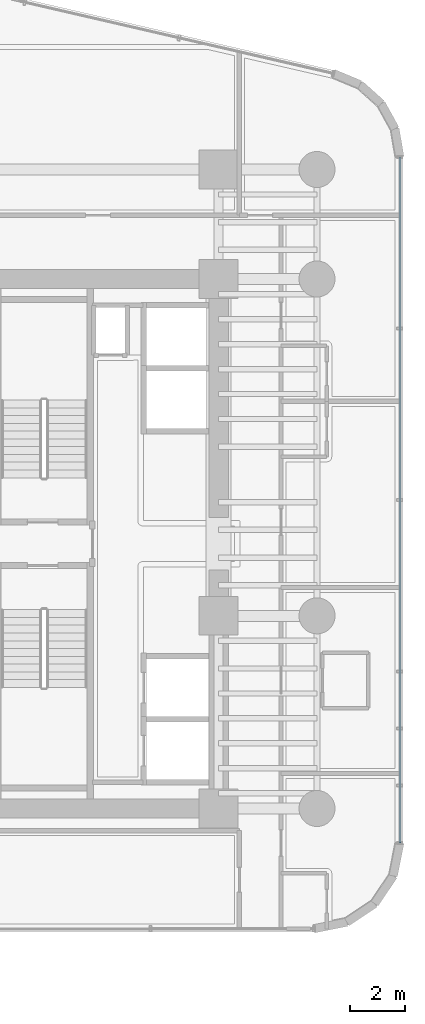
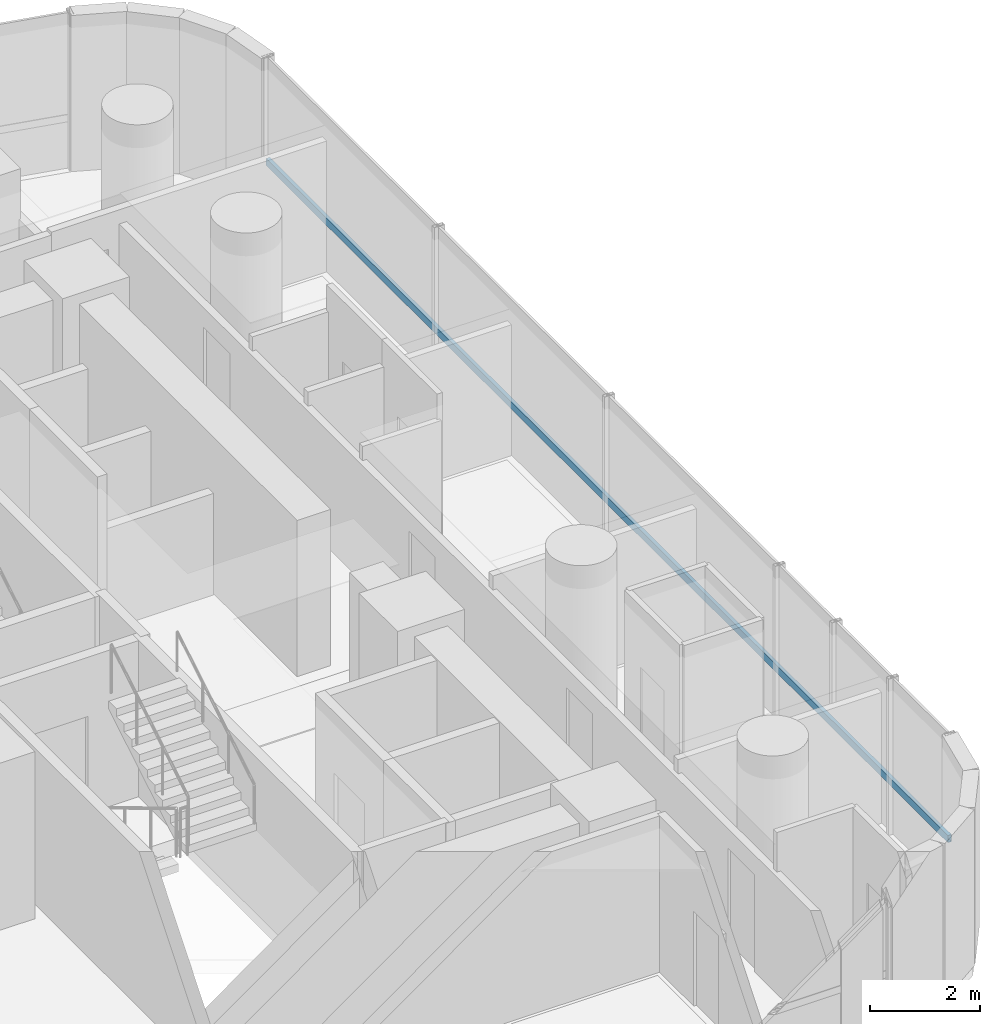
# One storey, part 25 of 39: 1 member, 1 element without a shape of its own.
"""IFC4 building model written with IfcOpenShell, lengths in metres."""

from ifc_helpers import new_model, si_unit, direction, frame, origin, origin_2d, place, context, subcontext, project, spatial, hollow_rectangle, extrude, source, transform, mapped, material, material_profile, profile_set, type_object, element, aggregate, save


model = new_model("IFC4")

# Units and contexts
model_context = context("Model", 3, precision=1e-05, world=origin(), true_north=direction((0.0, 1.0)))
body_context = subcontext(model_context, "Body", "Model", "MODEL_VIEW")
ifc_project = project(units=[si_unit("LENGTHUNIT", "METRE"), si_unit("AREAUNIT", "SQUARE_METRE"), si_unit("VOLUMEUNIT", "CUBIC_METRE"), si_unit("PLANEANGLEUNIT", "RADIAN"), si_unit("MASSUNIT", "GRAM", prefix="KILO")], contexts=[model_context])

# Site, building, storey
site_placement = place(None, origin())
site = spatial("IfcSite", under=ifc_project, at=site_placement, CompositionType="ELEMENT")
building_placement = place(site_placement, origin())
building = spatial("IfcBuilding", under=site, at=building_placement, Name="Valdorenza Pilgrim Sanctuary Tower", CompositionType="ELEMENT")
storey_placement = place(building_placement, frame((0.0, 0.0, 70.39990234375)))
storey = spatial("IfcBuildingStorey", under=building, at=storey_placement, Name="L17", CompositionType="ELEMENT", Elevation=70.39990234375)

# Curtain wall, member
ifc_material_1 = material(Name="Curtain-wall IGU glazing", Category="glass")
curtain_wall_type = type_object("IfcCurtainWallType", Name="CW-SYS-03", PredefinedType="NOTDEFINED", material=ifc_material_1)
curtain_wall_placement = place(storey_placement, origin())
curtain_wall = element("IfcCurtainWall", 1, at=curtain_wall_placement, inside=storey, type_object=curtain_wall_type, Name="L17 Curtain Wall CW-L17-1-21", PredefinedType="NOTDEFINED")
ifc_material_2 = material(Name="Anodised aluminium AW-6060", Category="aluminium")
ifc_material_profile = material_profile(ifc_material_2, hollow_rectangle(XDim=0.074951171875, YDim=0.159912109375, WallThickness=0.00390625, at=origin_2d()), Name="ALU-T 160x75x4")
ifc_profile_set = profile_set([ifc_material_profile], Name="Anodised aluminium AW-6060")
member_type = type_object("IfcMemberType", Name="CW-TRN-03", PredefinedType="USERDEFINED", material=ifc_profile_set)
shared_shape = source(origin(), body_context, "Body", "SweptSolid", [
    extrude(hollow_rectangle(XDim=0.074951171875, YDim=0.159912109375, WallThickness=0.00390625, at=origin_2d()), origin(), (0.0, 0.0, 1.0), 24.734375),
])
member_placement = place(storey_placement, frame((31.389892578125, 13.945068359375, 1.1201171875), z_axis=(0.0, -1.0, 0.0), x_axis=(1.0, 0.0, 0.0)))
member = element("IfcMember", 2, at=member_placement, type_object=member_type, Name="CW-L17-1-21 Transom 1", ObjectType="TRANSOM", PredefinedType="USERDEFINED", context=body_context, shape_type="MappedRepresentation", body=[
    mapped(shared_shape, transform((0.0, 0.0, 0.0), x_axis=(1.0, 0.0, 0.0), y_axis=(0.0, 1.0, 0.0), z_axis=(0.0, 0.0, 1.0), scale=1.0)),
])
aggregate(curtain_wall, [member])

save(model, "model.ifc")
